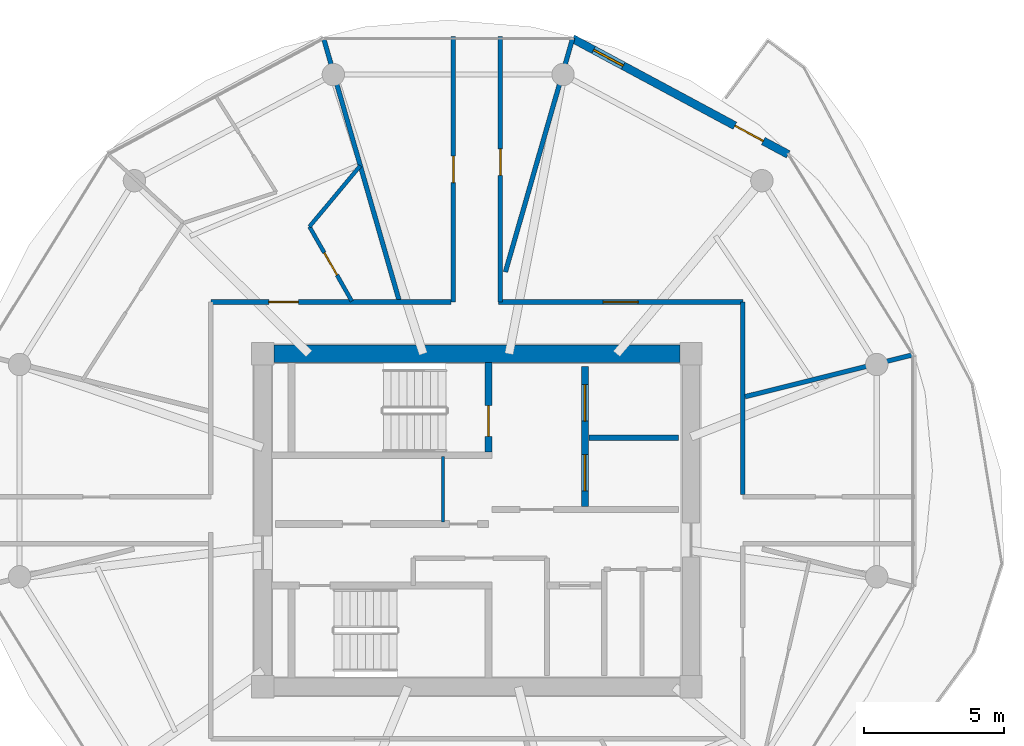
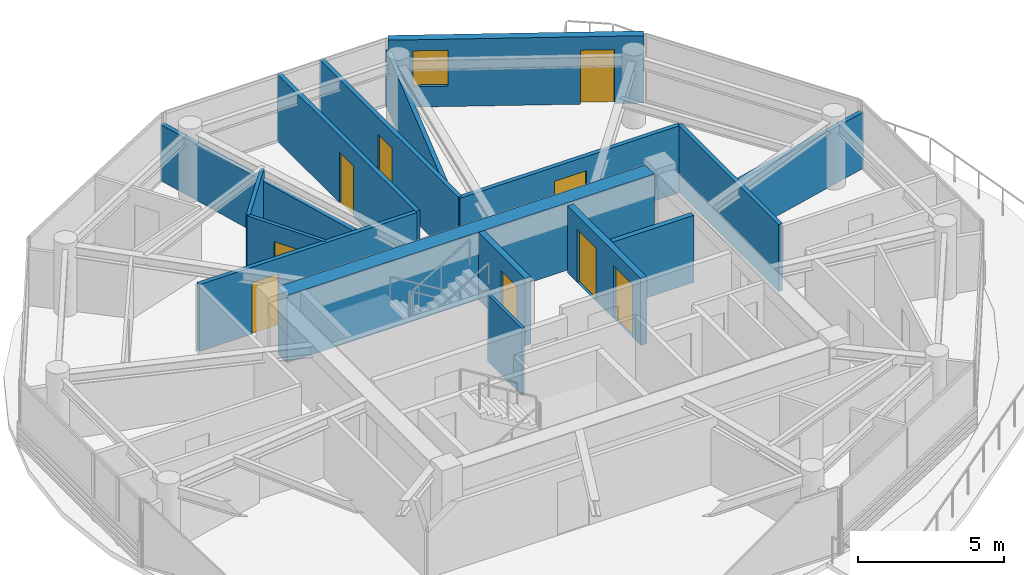
# One storey, part 17 of 23: 16 walls, 9 doors, 1 window, 10 openings.
"""IFC4 building model written with IfcOpenShell, lengths in metres."""

from ifc_helpers import new_model, si_unit, direction, frame, frame_2d, origin, place, context, subcontext, project, spatial, rectangle, extrude, source, transform, mapped, material, layer, layer_set, type_object, type_shapes, element, fill, save


model = new_model("IFC4")

# Units and contexts
model_context = context("Model", 3, precision=1e-05, world=origin(), true_north=direction((0.0, 1.0)))
body_context = subcontext(model_context, "Body", "Model", "MODEL_VIEW")
ifc_project = project(units=[si_unit("LENGTHUNIT", "METRE"), si_unit("AREAUNIT", "SQUARE_METRE"), si_unit("VOLUMEUNIT", "CUBIC_METRE"), si_unit("PLANEANGLEUNIT", "RADIAN"), si_unit("MASSUNIT", "GRAM", prefix="KILO")], contexts=[model_context])

# Site, building, storey
site_placement = place(None, origin())
site = spatial("IfcSite", under=ifc_project, at=site_placement, CompositionType="ELEMENT")
building_placement = place(site_placement, origin())
building = spatial("IfcBuilding", under=site, at=building_placement, Name="Norrkilde Senior Care Towers", CompositionType="ELEMENT")
storey_placement = place(building_placement, frame((0.0, 0.0, 164.800048828125)))
storey = spatial("IfcBuildingStorey", under=building, at=storey_placement, Name="L51", CompositionType="ELEMENT", Elevation=164.800048828125)

# Wall
ifc_material_1 = material(Name="Concrete C50/60", Category="concrete")
ifc_layer_1 = layer(ifc_material_1, 0.6201171875)
ifc_layer_set_1 = layer_set([ifc_layer_1], Name="Concrete C50/60")
wall_type_1 = type_object("IfcWallType", Name="Core Shear Wall Z3 620", PredefinedType="SHEAR", material=ifc_layer_set_1)
shared_shape_1 = source(origin(), body_context, "Body", "SweptSolid", [
    extrude(rectangle(XDim=14.5, YDim=0.6201171875, at=frame_2d((7.25, 0.0))), origin(), (0.0, 0.0, 1.0), 2.81005859375),
])
type_shapes(wall_type_1, [shared_shape_1])
wall_1_placement = place(storey_placement, frame((20.75, 5.949951171875, 0.0), z_axis=(0.0, 0.0, 1.0), x_axis=(1.0, 0.0, 0.0)))
element("IfcWall", 1, at=wall_1_placement, inside=storey, type_object=wall_type_1, Name="L51 Core E North Shear Wall", PredefinedType="SHEAR", context=body_context, shape_type="MappedRepresentation", body=[
    mapped(shared_shape_1, transform((0.0, 0.0, 0.0), x_axis=(1.0, 0.0, 0.0), y_axis=(0.0, 1.0, 0.0), z_axis=(0.0, 0.0, 1.0), scale=1.0)),
])

# Wall, openings, door, window
ifc_material_2 = material(Name="Precast concrete C45/55", Category="concrete")
ifc_layer_2 = layer(ifc_material_2, 0.2900390625)
ifc_layer_set_2 = layer_set([ifc_layer_2], Name="Precast concrete C45/55")
wall_type_2 = type_object("IfcWallType", Name="Winter Garden Facade Wall 290", PredefinedType="SOLIDWALL", material=ifc_layer_set_2)
shared_shape_2 = source(origin(), body_context, "Body", "SweptSolid", [
    extrude(rectangle(XDim=8.74169921875, YDim=0.2900390625, at=frame_2d((4.370849609375, 0.0))), origin(), (0.0, 0.0, 1.0), 2.81005859375),
])
type_shapes(wall_type_2, [shared_shape_2])
wall_2_placement = place(storey_placement, frame((31.421630859375, 17.2109375, 0.0), z_axis=(0.0, 0.0, 1.0), x_axis=(0.880992489116, -0.473130250693, 0.0)))
wall_2 = element("IfcWall", 2, at=wall_2_placement, inside=storey, type_object=wall_type_2, Name="L51 Drum E Balcony Access Wall 01", PredefinedType="SOLIDWALL", context=body_context, shape_type="MappedRepresentation", body=[
    mapped(shared_shape_2, transform((0.0, 0.0, 0.0), x_axis=(1.0, 0.0, 0.0), y_axis=(0.0, 1.0, 0.0), z_axis=(0.0, 0.0, 1.0), scale=1.0)),
])
opening_1_placement = place(wall_2_placement, frame((6.580078125, 0.0, 0.0)))
opening_1 = element("IfcOpeningElement", 3, at=opening_1_placement, cuts=wall_2, Name="Opening D-09", PredefinedType="OPENING", context=body_context, shape_type="SweptSolid", body=[
    extrude(rectangle(XDim=1.14990234375, YDim=2.25, at=frame_2d((0.574951171875, 1.125))), frame((0.0, 0.155029296875, 0.0), z_axis=(0.0, -1.0, 0.0), x_axis=(1.0, 0.0, 0.0)), (0.0, 0.0, 1.0), 0.31005859375),
])
opening_2_placement = place(wall_2_placement, frame((0.85009765625, 0.0, 0.85009765625)))
opening_2 = element("IfcOpeningElement", 4, at=opening_2_placement, cuts=wall_2, Name="Opening WN-07", PredefinedType="OPENING", context=body_context, shape_type="SweptSolid", body=[
    extrude(rectangle(XDim=1.199951171875, YDim=1.5, at=frame_2d((0.60009765625, 0.75))), frame((0.0, 0.155029296875, 0.0), z_axis=(0.0, -1.0, 0.0), x_axis=(1.0, 0.0, 0.0)), (0.0, 0.0, 1.0), 0.31005859375),
])
ifc_material_3 = material(Name="Anodised Aluminium", Category="aluminium")
door_type_1 = type_object("IfcDoorType", Name="Terrace and Balcony Glazed Door 1150x2250", OperationType="NOTDEFINED", PredefinedType="DOOR", material=ifc_material_3)
shared_shape_3 = source(origin(), body_context, "Body", "SweptSolid", [
    extrude(rectangle(XDim=1.14990234375, YDim=2.25, at=frame_2d((0.574951171875, 1.125))), frame((0.0, 0.02490234375, 0.0), z_axis=(0.0, -1.0, 0.0), x_axis=(1.0, 0.0, 0.0)), (0.0, 0.0, 1.0), 0.050048828125),
])
type_shapes(door_type_1, [shared_shape_3])
door_1_placement = place(opening_1_placement, origin())
door_1 = element("IfcDoor", 5, at=door_1_placement, inside=storey, type_object=door_type_1, Name="L51 Drum E Outdoor Terrace Door 01", OperationType="SINGLE_SWING_RIGHT", OverallHeight=2.25, OverallWidth=1.14990234375, PredefinedType="DOOR", context=body_context, shape_type="MappedRepresentation", body=[
    mapped(shared_shape_3, transform((0.0, 0.0, 0.0), x_axis=(1.0, 0.0, 0.0), y_axis=(0.0, 1.0, 0.0), z_axis=(0.0, 0.0, 1.0), scale=1.0)),
])
fill(opening_1, door_1)
ifc_material_4 = material(Name="Triple Low-E Insulated Glazing", Category="glass")
window_type = type_object("IfcWindowType", Name="Stairwell Smoke Vent Window 1200x1500", PartitioningType="SINGLE_PANEL", PredefinedType="WINDOW", material=ifc_material_4)
shared_shape_4 = source(origin(), body_context, "Body", "SweptSolid", [
    extrude(rectangle(XDim=1.199951171875, YDim=1.5, at=frame_2d((0.60009765625, 0.75))), frame((0.0, 0.030029296875, 0.0), z_axis=(0.0, -1.0, 0.0), x_axis=(1.0, 0.0, 0.0)), (0.0, 0.0, 1.0), 0.06005859375),
])
type_shapes(window_type, [shared_shape_4])
window_placement = place(opening_2_placement, origin())
window = element("IfcWindow", 6, at=window_placement, inside=storey, type_object=window_type, Name="L51 Drum E Winter Garden Window 01", OverallHeight=1.5, OverallWidth=1.199951171875, PartitioningType="SINGLE_PANEL", PredefinedType="WINDOW", context=body_context, shape_type="MappedRepresentation", body=[
    mapped(shared_shape_4, transform((0.0, 0.0, 0.0), x_axis=(1.0, 0.0, 0.0), y_axis=(0.0, 1.0, 0.0), z_axis=(0.0, 0.0, 1.0), scale=1.0)),
])
fill(opening_2, window)

# Wall, opening, door
ifc_material_5 = material(Name="Concrete C45/55", Category="concrete")
ifc_layer_3 = layer(ifc_material_5, 0.239990234375)
ifc_layer_set_3 = layer_set([ifc_layer_3], Name="Concrete C45/55")
wall_type_3 = type_object("IfcWallType", Name="Shaft and Stair Enclosure Wall 240", PredefinedType="PARTITIONING", material=ifc_layer_set_3)
shared_shape_5 = source(origin(), body_context, "Body", "SweptSolid", [
    extrude(rectangle(XDim=3.18994140625, YDim=0.239990234375, at=frame_2d((1.594970703125, 0.0))), origin(), (0.0, 0.0, 1.0), 2.81005859375),
])
type_shapes(wall_type_3, [shared_shape_5])
wall_3_placement = place(storey_placement, frame((28.419921875, 2.449951171875, 0.0), z_axis=(0.0, 0.0, 1.0), x_axis=(0.0, 1.0, 0.0)))
wall_3 = element("IfcWall", 7, at=wall_3_placement, inside=storey, type_object=wall_type_3, Name="WL-INT-L51-E-ST1E", PredefinedType="PARTITIONING", context=body_context, shape_type="MappedRepresentation", body=[
    mapped(shared_shape_5, transform((0.0, 0.0, 0.0), x_axis=(1.0, 0.0, 0.0), y_axis=(0.0, 1.0, 0.0), z_axis=(0.0, 0.0, 1.0), scale=1.0)),
])
opening_3_placement = place(wall_3_placement, frame((0.550048828125, 0.0, 0.0)))
opening_3 = element("IfcOpeningElement", 8, at=opening_3_placement, cuts=wall_3, Name="Opening D-03", PredefinedType="OPENING", context=body_context, shape_type="SweptSolid", body=[
    extrude(rectangle(XDim=1.10009765625, YDim=2.14990234375, at=frame_2d((0.550048828125, 1.074951171875))), frame((0.0, 0.1298828125, 0.0), z_axis=(0.0, -1.0, 0.0), x_axis=(1.0, 0.0, 0.0)), (0.0, 0.0, 1.0), 0.260009765625),
])
ifc_material_6 = material(Name="Galvanised Painted Steel", Category="steel")
door_type_2 = type_object("IfcDoorType", Name="Stairwell Protected Fire Door 1100x2150", OperationType="NOTDEFINED", PredefinedType="DOOR", material=ifc_material_6)
shared_shape_6 = source(origin(), body_context, "Body", "SweptSolid", [
    extrude(rectangle(XDim=1.10009765625, YDim=2.14990234375, at=frame_2d((0.550048828125, 1.074951171875))), frame((0.0, 0.02490234375, 0.0), z_axis=(0.0, -1.0, 0.0), x_axis=(1.0, 0.0, 0.0)), (0.0, 0.0, 1.0), 0.050048828125),
])
type_shapes(door_type_2, [shared_shape_6])
door_2_placement = place(opening_3_placement, origin())
door_2 = element("IfcDoor", 9, at=door_2_placement, inside=storey, type_object=door_type_2, Name="L51 Stair E1 Fire Door", OperationType="SINGLE_SWING_LEFT", OverallHeight=2.14990234375, OverallWidth=1.10009765625, PredefinedType="DOOR", context=body_context, shape_type="MappedRepresentation", body=[
    mapped(shared_shape_6, transform((0.0, 0.0, 0.0), x_axis=(1.0, 0.0, 0.0), y_axis=(0.0, 1.0, 0.0), z_axis=(0.0, 0.0, 1.0), scale=1.0)),
])
fill(opening_3, door_2)

# Wall, openings, doors
ifc_layer_4 = layer(ifc_material_5, 0.239990234375)
ifc_layer_set_4 = layer_set([ifc_layer_4], Name="Concrete C45/55")
wall_type_4 = type_object("IfcWallType", Name="Lift and Plant Rated Enclosure Partition 240", PredefinedType="PARTITIONING", material=ifc_layer_set_4)
shared_shape_7 = source(origin(), body_context, "Body", "SweptSolid", [
    extrude(rectangle(XDim=5.0, YDim=0.239990234375, at=frame_2d((2.5, 0.0))), origin(), (0.0, 0.0, 1.0), 2.794921875),
])
type_shapes(wall_type_4, [shared_shape_7])
wall_4_placement = place(storey_placement, frame((31.860107421875, 0.5, 0.0), z_axis=(0.0, 0.0, 1.0), x_axis=(0.0, 1.0, 0.0)))
wall_4 = element("IfcWall", 10, at=wall_4_placement, inside=storey, type_object=wall_type_4, Name="WL-INT-L51-E-FFLE", PredefinedType="PARTITIONING", context=body_context, shape_type="MappedRepresentation", body=[
    mapped(shared_shape_7, transform((0.0, 0.0, 0.0), x_axis=(1.0, 0.0, 0.0), y_axis=(0.0, 1.0, 0.0), z_axis=(0.0, 0.0, 1.0), scale=1.0)),
])
opening_4_placement = place(wall_4_placement, frame((3.050048828125, 0.0, 0.0)))
opening_4 = element("IfcOpeningElement", 11, at=opening_4_placement, cuts=wall_4, Name="Opening LD-02", PredefinedType="OPENING", context=body_context, shape_type="SweptSolid", body=[
    extrude(rectangle(XDim=1.300048828125, YDim=2.199951171875, at=frame_2d((0.64990234375, 1.10009765625))), frame((0.0, 0.1298828125, 0.0), z_axis=(0.0, -1.0, 0.0), x_axis=(1.0, 0.0, 0.0)), (0.0, 0.0, 1.0), 0.260009765625),
])
opening_5_placement = place(wall_4_placement, frame((0.550048828125, 0.0, 0.0)))
opening_5 = element("IfcOpeningElement", 12, at=opening_5_placement, cuts=wall_4, Name="Opening LD-02", PredefinedType="OPENING", context=body_context, shape_type="SweptSolid", body=[
    extrude(rectangle(XDim=1.300048828125, YDim=2.199951171875, at=frame_2d((0.64990234375, 1.10009765625))), frame((0.0, 0.1298828125, 0.0), z_axis=(0.0, -1.0, 0.0), x_axis=(1.0, 0.0, 0.0)), (0.0, 0.0, 1.0), 0.260009765625),
])
ifc_material_7 = material(Name="Stainless Steel", Category="steel")
door_type_3 = type_object("IfcDoorType", Name="Stretcher and FFL Landing Sliding Door 1300x2200", OperationType="NOTDEFINED", PredefinedType="DOOR", material=ifc_material_7)
shared_shape_8 = source(origin(), body_context, "Body", "SweptSolid", [
    extrude(rectangle(XDim=1.300048828125, YDim=2.199951171875, at=frame_2d((0.64990234375, 1.10009765625))), frame((0.0, 0.02490234375, 0.0), z_axis=(0.0, -1.0, 0.0), x_axis=(1.0, 0.0, 0.0)), (0.0, 0.0, 1.0), 0.050048828125),
])
type_shapes(door_type_3, [shared_shape_8])
door_3_placement = place(opening_4_placement, origin())
door_3 = element("IfcDoor", 13, at=door_3_placement, inside=storey, type_object=door_type_3, Name="L51 Firefighting Lift E1 Landing Door", OperationType="SLIDING_TO_LEFT", OverallHeight=2.199951171875, OverallWidth=1.300048828125, PredefinedType="DOOR", context=body_context, shape_type="MappedRepresentation", body=[
    mapped(shared_shape_8, transform((0.0, 0.0, 0.0), x_axis=(1.0, 0.0, 0.0), y_axis=(0.0, 1.0, 0.0), z_axis=(0.0, 0.0, 1.0), scale=1.0)),
])
fill(opening_4, door_3)
door_4_placement = place(opening_5_placement, origin())
door_4 = element("IfcDoor", 14, at=door_4_placement, inside=storey, type_object=door_type_3, Name="L51 Stretcher Lift E1 Landing Door", OperationType="SLIDING_TO_RIGHT", OverallHeight=2.199951171875, OverallWidth=1.300048828125, PredefinedType="DOOR", context=body_context, shape_type="MappedRepresentation", body=[
    mapped(shared_shape_8, transform((0.0, 0.0, 0.0), x_axis=(1.0, 0.0, 0.0), y_axis=(0.0, 1.0, 0.0), z_axis=(0.0, 0.0, 1.0), scale=1.0)),
])
fill(opening_5, door_4)

# Walls
ifc_layer_5 = layer(ifc_material_5, 0.199951171875)
ifc_layer_set_5 = layer_set([ifc_layer_5], Name="Concrete C45/55")
wall_type_5 = type_object("IfcWallType", Name="Shaft Division and Plant Partition 200", PredefinedType="PARTITIONING", material=ifc_layer_set_5)
shared_shape_9 = source(origin(), body_context, "Body", "SweptSolid", [
    extrude(rectangle(XDim=3.199951171875, YDim=0.199951171875, at=frame_2d((1.60009765625, 0.0))), origin(), (0.0, 0.0, 1.0), 2.794921875),
])
type_shapes(wall_type_5, [shared_shape_9])
wall_5_placement = place(storey_placement, frame((32.0, 2.949951171875, 0.0), z_axis=(0.0, 0.0, 1.0), x_axis=(1.0, 0.0, 0.0)))
element("IfcWall", 15, at=wall_5_placement, inside=storey, type_object=wall_type_5, Name="WL-INT-L51-E-FFLDIV", PredefinedType="PARTITIONING", context=body_context, shape_type="MappedRepresentation", body=[
    mapped(shared_shape_9, transform((0.0, 0.0, 0.0), x_axis=(1.0, 0.0, 0.0), y_axis=(0.0, 1.0, 0.0), z_axis=(0.0, 0.0, 1.0), scale=1.0)),
])
ifc_material_8 = material(Name="Gypsum Acoustic Board")
ifc_layer_6 = layer(ifc_material_8, 0.114990234375)
ifc_layer_set_6 = layer_set([ifc_layer_6], Name="Gypsum Acoustic Board")
wall_type_6 = type_object("IfcWallType", Name="Internal Room Partition 115", PredefinedType="PARTITIONING", material=ifc_layer_set_6)
shared_shape_10 = source(origin(), body_context, "Body", "SweptSolid", [
    extrude(rectangle(XDim=2.330078125, YDim=0.114990234375, at=frame_2d((1.1650390625, 0.0))), origin(), (0.0, 0.0, 1.0), 2.794921875),
])
type_shapes(wall_type_6, [shared_shape_10])
wall_6_placement = place(storey_placement, frame((26.7900390625, -0.050048828125, 0.0), z_axis=(0.0, 0.0, 1.0), x_axis=(0.0, 1.0, 0.0)))
element("IfcWall", 16, at=wall_6_placement, inside=storey, type_object=wall_type_6, Name="WL-INT-L51-E-RISW", PredefinedType="PARTITIONING", context=body_context, shape_type="MappedRepresentation", body=[
    mapped(shared_shape_10, transform((0.0, 0.0, 0.0), x_axis=(1.0, 0.0, 0.0), y_axis=(0.0, 1.0, 0.0), z_axis=(0.0, 0.0, 1.0), scale=1.0)),
])
ifc_layer_7 = layer(ifc_material_8, 0.1650390625)
ifc_layer_set_7 = layer_set([ifc_layer_7], Name="Gypsum Acoustic Board")
wall_type_7 = type_object("IfcWallType", Name="Corridor Rated Partition 165", PredefinedType="PARTITIONING", material=ifc_layer_set_7)
shared_shape_11 = source(origin(), body_context, "Body", "SweptSolid", [
    extrude(rectangle(XDim=9.73046875, YDim=0.1650390625, at=frame_2d((4.865234375, 0.0))), origin(), (0.0, 0.0, 1.0), 2.344970703125),
])
wall_7_placement = place(storey_placement, frame((25.216552734375, 7.8798828125, 0.0), z_axis=(0.0, 0.0, 1.0), x_axis=(-0.27679492614, 0.960929013436, 0.0)))
element("IfcWall", 17, at=wall_7_placement, inside=storey, type_object=wall_type_7, Name="WL-INT-L51-E-DEM-03-0", PredefinedType="PARTITIONING", context=body_context, shape_type="MappedRepresentation", body=[
    mapped(shared_shape_11, transform((0.0, 0.0, 0.0), x_axis=(1.0, 0.0, 0.0), y_axis=(0.0, 1.0, 0.0), z_axis=(0.0, 0.0, 1.0), scale=1.0)),
])

# Wall, opening, door
shared_shape_12 = source(origin(), body_context, "Body", "SweptSolid", [
    extrude(rectangle(XDim=8.719482421875, YDim=0.1650390625, at=frame_2d((4.35986328125, 0.0))), origin(), (0.0, 0.0, 1.0), 2.794921875),
])
wall_8_placement = place(storey_placement, frame((28.780517578125, 7.800048828125, 0.0), z_axis=(0.0, 0.0, 1.0), x_axis=(1.0, 0.0, 0.0)))
wall_8 = element("IfcWall", 18, at=wall_8_placement, inside=storey, type_object=wall_type_7, Name="WL-INT-L51-E-CRW-N-1", PredefinedType="PARTITIONING", context=body_context, shape_type="MappedRepresentation", body=[
    mapped(shared_shape_12, transform((0.0, 0.0, 0.0), x_axis=(1.0, 0.0, 0.0), y_axis=(0.0, 1.0, 0.0), z_axis=(0.0, 0.0, 1.0), scale=1.0)),
])
opening_6_placement = place(wall_8_placement, frame((3.73486328125, 0.0, 0.0)))
opening_6 = element("IfcOpeningElement", 19, at=opening_6_placement, cuts=wall_8, Name="Opening D-05", PredefinedType="OPENING", context=body_context, shape_type="SweptSolid", body=[
    extrude(rectangle(XDim=1.25, YDim=2.199951171875, at=frame_2d((0.625, 1.10009765625))), frame((0.0, 0.092529296875, 0.0), z_axis=(0.0, -1.0, 0.0), x_axis=(1.0, 0.0, 0.0)), (0.0, 0.0, 1.0), 0.18505859375),
])
ifc_material_9 = material(Name="Nordic Ash Timber", Category="wood")
door_type_4 = type_object("IfcDoorType", Name="Care Bedroom Bariatric Door 1250x2200", OperationType="NOTDEFINED", PredefinedType="DOOR", material=ifc_material_9)
shared_shape_13 = source(origin(), body_context, "Body", "SweptSolid", [
    extrude(rectangle(XDim=1.25, YDim=2.199951171875, at=frame_2d((0.625, 1.10009765625))), frame((0.0, 0.02490234375, 0.0), z_axis=(0.0, -1.0, 0.0), x_axis=(1.0, 0.0, 0.0)), (0.0, 0.0, 1.0), 0.050048828125),
])
type_shapes(door_type_4, [shared_shape_13])
door_5_placement = place(opening_6_placement, frame((1.25, 0.0, 0.0), z_axis=(0.0, 0.0, 1.0), x_axis=(-1.0, 0.0, 0.0)))
door_5 = element("IfcDoor", 20, at=door_5_placement, inside=storey, type_object=door_type_4, Name="L51 Senior Wellness Library Lounge Door", OperationType="SINGLE_SWING_LEFT", OverallHeight=2.199951171875, OverallWidth=1.25, PredefinedType="DOOR", context=body_context, shape_type="MappedRepresentation", body=[
    mapped(shared_shape_13, transform((0.0, 0.0, 0.0), x_axis=(1.0, 0.0, 0.0), y_axis=(0.0, 1.0, 0.0), z_axis=(0.0, 0.0, 1.0), scale=1.0)),
])
fill(opening_6, door_5)

# Walls
shared_shape_14 = source(origin(), body_context, "Body", "SweptSolid", [
    extrude(rectangle(XDim=8.695068359375, YDim=0.1650390625, at=frame_2d((4.34765625, 0.0))), origin(), (0.0, 0.0, 1.0), 2.344970703125),
])
wall_9_placement = place(storey_placement, frame((29.02001953125, 8.875, 0.0), z_axis=(0.0, 0.0, 1.0), x_axis=(0.276797231892, 0.960928349263, 0.0)))
element("IfcWall", 21, at=wall_9_placement, inside=storey, type_object=wall_type_7, Name="WL-INT-L51-E-DEM-02-0", PredefinedType="PARTITIONING", context=body_context, shape_type="MappedRepresentation", body=[
    mapped(shared_shape_14, transform((0.0, 0.0, 0.0), x_axis=(1.0, 0.0, 0.0), y_axis=(0.0, 1.0, 0.0), z_axis=(0.0, 0.0, 1.0), scale=1.0)),
])
shared_shape_15 = source(origin(), body_context, "Body", "SweptSolid", [
    extrude(rectangle(XDim=6.192626953125, YDim=0.1650390625, at=frame_2d((3.09619140625, 0.0))), origin(), (0.0, 0.0, 1.0), 2.344970703125),
])
wall_10_placement = place(storey_placement, frame((37.580078125, 4.418701171875, 0.0), z_axis=(0.0, 0.0, 1.0), x_axis=(0.970309243466, 0.241867674657, 0.0)))
element("IfcWall", 22, at=wall_10_placement, inside=storey, type_object=wall_type_7, Name="WL-INT-L51-E-DEM-00-0", PredefinedType="PARTITIONING", context=body_context, shape_type="MappedRepresentation", body=[
    mapped(shared_shape_15, transform((0.0, 0.0, 0.0), x_axis=(1.0, 0.0, 0.0), y_axis=(0.0, 1.0, 0.0), z_axis=(0.0, 0.0, 1.0), scale=1.0)),
])

# Wall, opening, door
shared_shape_16 = source(origin(), body_context, "Body", "SweptSolid", [
    extrude(rectangle(XDim=8.580078125, YDim=0.1650390625, at=frame_2d((4.2900390625, 0.0))), origin(), (0.0, 0.0, 1.0), 2.794921875),
])
wall_11_placement = place(storey_placement, frame((18.5, 7.800048828125, 0.0), z_axis=(0.0, 0.0, 1.0), x_axis=(1.0, 0.0, 0.0)))
wall_11 = element("IfcWall", 23, at=wall_11_placement, inside=storey, type_object=wall_type_7, Name="WL-INT-L51-E-CRW-N-0", PredefinedType="PARTITIONING", context=body_context, shape_type="MappedRepresentation", body=[
    mapped(shared_shape_16, transform((0.0, 0.0, 0.0), x_axis=(1.0, 0.0, 0.0), y_axis=(0.0, 1.0, 0.0), z_axis=(0.0, 0.0, 1.0), scale=1.0)),
])
opening_7_placement = place(wall_11_placement, frame((2.07177734375, 0.0, 0.0)))
opening_7 = element("IfcOpeningElement", 24, at=opening_7_placement, cuts=wall_11, Name="Opening D-06", PredefinedType="OPENING", context=body_context, shape_type="SweptSolid", body=[
    extrude(rectangle(XDim=1.050048828125, YDim=2.14990234375, at=frame_2d((0.52490234375, 1.074951171875))), frame((0.0, 0.092529296875, 0.0), z_axis=(0.0, -1.0, 0.0), x_axis=(1.0, 0.0, 0.0)), (0.0, 0.0, 1.0), 0.18505859375),
])
door_type_5 = type_object("IfcDoorType", Name="Apartment Entrance Fire Door 1050x2150", OperationType="NOTDEFINED", PredefinedType="DOOR", material=ifc_material_9)
shared_shape_17 = source(origin(), body_context, "Body", "SweptSolid", [
    extrude(rectangle(XDim=1.050048828125, YDim=2.14990234375, at=frame_2d((0.52490234375, 1.074951171875))), frame((0.0, 0.02490234375, 0.0), z_axis=(0.0, -1.0, 0.0), x_axis=(1.0, 0.0, 0.0)), (0.0, 0.0, 1.0), 0.050048828125),
])
type_shapes(door_type_5, [shared_shape_17])
door_6_placement = place(opening_7_placement, frame((1.050048828125, 0.0, 0.0), z_axis=(0.0, 0.0, 1.0), x_axis=(-1.0, 0.0, 0.0)))
door_6 = element("IfcDoor", 25, at=door_6_placement, inside=storey, type_object=door_type_5, Name="Apartment 51B Entrance Door", OperationType="SINGLE_SWING_RIGHT", OverallHeight=2.14990234375, OverallWidth=1.050048828125, PredefinedType="DOOR", context=body_context, shape_type="MappedRepresentation", body=[
    mapped(shared_shape_17, transform((0.0, 0.0, 0.0), x_axis=(1.0, 0.0, 0.0), y_axis=(0.0, 1.0, 0.0), z_axis=(0.0, 0.0, 1.0), scale=1.0)),
])
fill(opening_7, door_6)

# Wall
shared_shape_18 = source(origin(), body_context, "Body", "SweptSolid", [
    extrude(rectangle(XDim=6.880126953125, YDim=0.1650390625, at=frame_2d((3.43994140625, 0.0))), origin(), (0.0, 0.0, 1.0), 2.794921875),
])
wall_12_placement = place(storey_placement, frame((37.5, 7.800048828125, 0.0), z_axis=(0.0, 0.0, 1.0), x_axis=(0.0, -1.0, 0.0)))
element("IfcWall", 26, at=wall_12_placement, inside=storey, type_object=wall_type_7, Name="WL-INT-L51-E-CRW-E-0", PredefinedType="PARTITIONING", context=body_context, shape_type="MappedRepresentation", body=[
    mapped(shared_shape_18, transform((0.0, 0.0, 0.0), x_axis=(1.0, 0.0, 0.0), y_axis=(0.0, 1.0, 0.0), z_axis=(0.0, 0.0, 1.0), scale=1.0)),
])

# Wall, opening, door
shared_shape_19 = source(origin(), body_context, "Body", "SweptSolid", [
    extrude(rectangle(XDim=9.480224609375, YDim=0.1650390625, at=frame_2d((4.740234375, 0.0))), origin(), (0.0, 0.0, 1.0), 2.794921875),
])
type_shapes(wall_type_7, [shared_shape_11, shared_shape_12, shared_shape_14, shared_shape_15, shared_shape_16, shared_shape_18, shared_shape_19])
wall_13_placement = place(storey_placement, frame((27.159912109375, 7.800048828125, 0.0), z_axis=(0.0, 0.0, 1.0), x_axis=(0.0, 1.0, 0.0)))
wall_13 = element("IfcWall", 27, at=wall_13_placement, inside=storey, type_object=wall_type_7, Name="WL-INT-L51-E-SPK-N1-0", PredefinedType="PARTITIONING", context=body_context, shape_type="MappedRepresentation", body=[
    mapped(shared_shape_19, transform((0.0, 0.0, 0.0), x_axis=(1.0, 0.0, 0.0), y_axis=(0.0, 1.0, 0.0), z_axis=(0.0, 0.0, 1.0), scale=1.0)),
])
opening_8_placement = place(wall_13_placement, frame((4.26513671875, 0.0, 0.0)))
opening_8 = element("IfcOpeningElement", 28, at=opening_8_placement, cuts=wall_13, Name="Opening D-07", PredefinedType="OPENING", context=body_context, shape_type="SweptSolid", body=[
    extrude(rectangle(XDim=0.949951171875, YDim=2.10009765625, at=frame_2d((0.47509765625, 1.050048828125))), frame((0.0, 0.092529296875, 0.0), z_axis=(0.0, -1.0, 0.0), x_axis=(1.0, 0.0, 0.0)), (0.0, 0.0, 1.0), 0.18505859375),
])
door_type_6 = type_object("IfcDoorType", Name="Internal Suite Bedroom Door 950x2100", OperationType="NOTDEFINED", PredefinedType="DOOR", material=ifc_material_9)
shared_shape_20 = source(origin(), body_context, "Body", "SweptSolid", [
    extrude(rectangle(XDim=0.949951171875, YDim=2.10009765625, at=frame_2d((0.47509765625, 1.050048828125))), frame((0.0, 0.02490234375, 0.0), z_axis=(0.0, -1.0, 0.0), x_axis=(1.0, 0.0, 0.0)), (0.0, 0.0, 1.0), 0.050048828125),
])
type_shapes(door_type_6, [shared_shape_20])
door_7_placement = place(opening_8_placement, frame((0.949951171875, 0.0, 0.0), z_axis=(0.0, 0.0, 1.0), x_axis=(-1.0, 0.0, 0.0)))
door_7 = element("IfcDoor", 29, at=door_7_placement, inside=storey, type_object=door_type_6, Name="L51 Sun Reading Lounge 3 Door", OperationType="SINGLE_SWING_RIGHT", OverallHeight=2.10009765625, OverallWidth=0.949951171875, PredefinedType="DOOR", context=body_context, shape_type="MappedRepresentation", body=[
    mapped(shared_shape_20, transform((0.0, 0.0, 0.0), x_axis=(1.0, 0.0, 0.0), y_axis=(0.0, 1.0, 0.0), z_axis=(0.0, 0.0, 1.0), scale=1.0)),
])
fill(opening_8, door_7)

wall_14_placement = place(storey_placement, frame((28.840087890625, 17.2802734375, 0.0), z_axis=(0.0, 0.0, 1.0), x_axis=(0.0, -1.0, 0.0)))
wall_14 = element("IfcWall", 30, at=wall_14_placement, inside=storey, type_object=wall_type_7, Name="WL-INT-L51-E-SPK-N2-0", PredefinedType="PARTITIONING", context=body_context, shape_type="MappedRepresentation", body=[
    mapped(shared_shape_19, transform((0.0, 0.0, 0.0), x_axis=(1.0, 0.0, 0.0), y_axis=(0.0, 1.0, 0.0), z_axis=(0.0, 0.0, 1.0), scale=1.0)),
])
opening_9_placement = place(wall_14_placement, frame((4.009765625, 0.0, 0.0)))
opening_9 = element("IfcOpeningElement", 31, at=opening_9_placement, cuts=wall_14, Name="Opening D-07", PredefinedType="OPENING", context=body_context, shape_type="SweptSolid", body=[
    extrude(rectangle(XDim=0.949951171875, YDim=2.10009765625, at=frame_2d((0.47509765625, 1.050048828125))), frame((0.0, 0.092529296875, 0.0), z_axis=(0.0, -1.0, 0.0), x_axis=(1.0, 0.0, 0.0)), (0.0, 0.0, 1.0), 0.18505859375),
])
door_8_placement = place(opening_9_placement, frame((0.949951171875, 0.0, 0.0), z_axis=(0.0, 0.0, 1.0), x_axis=(-1.0, 0.0, 0.0)))
door_8 = element("IfcDoor", 32, at=door_8_placement, inside=storey, type_object=door_type_6, Name="L51 Sun Reading Lounge 4 Door", OperationType="SINGLE_SWING_LEFT", OverallHeight=2.10009765625, OverallWidth=0.949951171875, PredefinedType="DOOR", context=body_context, shape_type="MappedRepresentation", body=[
    mapped(shared_shape_20, transform((0.0, 0.0, 0.0), x_axis=(1.0, 0.0, 0.0), y_axis=(0.0, 1.0, 0.0), z_axis=(0.0, 0.0, 1.0), scale=1.0)),
])
fill(opening_9, door_8)

ifc_layer_8 = layer(ifc_material_8, 0.139892578125)
ifc_layer_set_8 = layer_set([ifc_layer_8], Name="Gypsum Acoustic Board")
wall_type_8 = type_object("IfcWallType", Name="En-suite Wet Room Wall 140", PredefinedType="PARTITIONING", material=ifc_layer_set_8)
shared_shape_21 = source(origin(), body_context, "Body", "SweptSolid", [
    extrude(rectangle(XDim=3.06396484375, YDim=0.139892578125, at=frame_2d((1.531982421875, 0.0))), origin(), (0.0, 0.0, 1.0), 2.794921875),
])
wall_15_placement = place(storey_placement, frame((23.5341796875, 7.830078125, 0.0), z_axis=(0.0, 0.0, 1.0), x_axis=(-0.494103864861, 0.869402881712, 0.0)))
wall_15 = element("IfcWall", 33, at=wall_15_placement, inside=storey, type_object=wall_type_8, Name="WL-INT-L51-E-UBTS-03", PredefinedType="PARTITIONING", context=body_context, shape_type="MappedRepresentation", body=[
    mapped(shared_shape_21, transform((0.0, 0.0, 0.0), x_axis=(1.0, 0.0, 0.0), y_axis=(0.0, 1.0, 0.0), z_axis=(0.0, 0.0, 1.0), scale=1.0)),
])
opening_10_placement = place(wall_15_placement, frame((1.072021484375, 0.0, 0.0)))
opening_10 = element("IfcOpeningElement", 34, at=opening_10_placement, cuts=wall_15, Name="Opening D-08", PredefinedType="OPENING", context=body_context, shape_type="SweptSolid", body=[
    extrude(rectangle(XDim=0.919921875, YDim=2.10009765625, at=frame_2d((0.4599609375, 1.050048828125))), frame((0.0, 0.079833984375, 0.0), z_axis=(0.0, -1.0, 0.0), x_axis=(1.0, 0.0, 0.0)), (0.0, 0.0, 1.0), 0.159912109375),
])
door_type_7 = type_object("IfcDoorType", Name="Accessible Wet Room Door 920x2100", OperationType="NOTDEFINED", PredefinedType="DOOR", material=ifc_material_9)
shared_shape_22 = source(origin(), body_context, "Body", "SweptSolid", [
    extrude(rectangle(XDim=0.919921875, YDim=2.10009765625, at=frame_2d((0.4599609375, 1.050048828125))), frame((0.0, 0.02490234375, 0.0), z_axis=(0.0, -1.0, 0.0), x_axis=(1.0, 0.0, 0.0)), (0.0, 0.0, 1.0), 0.050048828125),
])
type_shapes(door_type_7, [shared_shape_22])
door_9_placement = place(opening_10_placement, origin())
door_9 = element("IfcDoor", 35, at=door_9_placement, inside=storey, type_object=door_type_7, Name="Apartment 51B Bathroom Door", OperationType="SINGLE_SWING_LEFT", OverallHeight=2.10009765625, OverallWidth=0.919921875, PredefinedType="DOOR", context=body_context, shape_type="MappedRepresentation", body=[
    mapped(shared_shape_22, transform((0.0, 0.0, 0.0), x_axis=(1.0, 0.0, 0.0), y_axis=(0.0, 1.0, 0.0), z_axis=(0.0, 0.0, 1.0), scale=1.0)),
])
fill(opening_10, door_9)

# Wall
shared_shape_23 = source(origin(), body_context, "Body", "SweptSolid", [
    extrude(rectangle(XDim=2.83349609375, YDim=0.139892578125, at=frame_2d((1.416748046875, 0.0))), origin(), (0.0, 0.0, 1.0), 2.794921875),
])
type_shapes(wall_type_8, [shared_shape_21, shared_shape_23])
wall_16_placement = place(storey_placement, frame((22.020263671875, 10.493896484375, 0.0), z_axis=(0.0, 0.0, 1.0), x_axis=(0.64098072766, 0.767556972979, 0.0)))
element("IfcWall", 36, at=wall_16_placement, inside=storey, type_object=wall_type_8, Name="WL-INT-L51-E-UBTF-03", PredefinedType="PARTITIONING", context=body_context, shape_type="MappedRepresentation", body=[
    mapped(shared_shape_23, transform((0.0, 0.0, 0.0), x_axis=(1.0, 0.0, 0.0), y_axis=(0.0, 1.0, 0.0), z_axis=(0.0, 0.0, 1.0), scale=1.0)),
])

save(model, "model.ifc")
